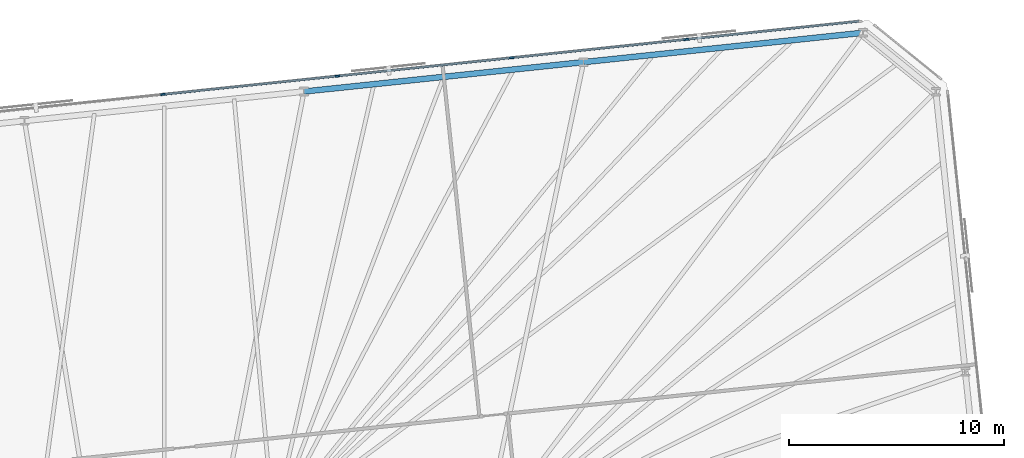
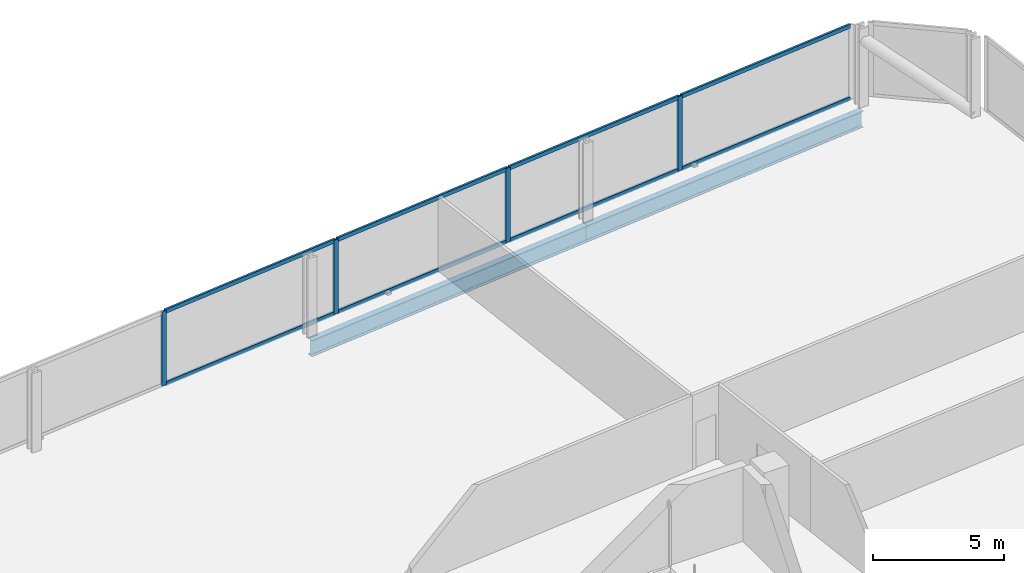
# One storey, part 11 of 18: 12 members, 2 beams, 1 element without a shape of its own.
"""IFC4 building model written with IfcOpenShell, lengths in metres."""

from ifc_helpers import new_model, si_unit, direction, frame, origin, origin_2d, place, context, subcontext, project, spatial, rectangle, i_section, extrude, material, material_profile, profile_set, type_object, element, aggregate, save


model = new_model("IFC4")

# Units and contexts
model_context = context("Model", 3, precision=1e-05, world=origin(), true_north=direction((0.0, 1.0)))
body_context = subcontext(model_context, "Body", "Model", "MODEL_VIEW")
ifc_project = project(units=[si_unit("LENGTHUNIT", "METRE"), si_unit("AREAUNIT", "SQUARE_METRE"), si_unit("VOLUMEUNIT", "CUBIC_METRE"), si_unit("PLANEANGLEUNIT", "RADIAN"), si_unit("MASSUNIT", "GRAM", prefix="KILO")], contexts=[model_context])

# Site, building, storey
site_placement = place(None, origin())
site = spatial("IfcSite", under=ifc_project, at=site_placement, CompositionType="ELEMENT")
building_placement = place(site_placement, origin())
building = spatial("IfcBuilding", under=site, at=building_placement, Name="Menara Jurai Vektor", CompositionType="ELEMENT")
storey_placement = place(building_placement, frame((0.0, 0.0, 135.5)))
storey = spatial("IfcBuildingStorey", under=building, at=storey_placement, Name="L34", CompositionType="ELEMENT", Elevation=135.5)

# Curtain wall, members
ifc_material_1 = material(Name="Anodised Pale Aluminium & Low-E Double Glazing", Category="aluminium")
curtain_wall_type = type_object("IfcCurtainWallType", Name="CW-BLK2", PredefinedType="NOTDEFINED", material=ifc_material_1)
curtain_wall_placement = place(storey_placement, origin())
curtain_wall = element("IfcCurtainWall", 1, at=curtain_wall_placement, inside=storey, type_object=curtain_wall_type, Name="Unitised Curtain Wall L34 F05", PredefinedType="NOTDEFINED")
ifc_material_2 = material(Name="Anodised Pale Aluminium Mullion", Category="aluminium")
ifc_material_profile_1 = material_profile(ifc_material_2, rectangle(XDim=0.090087890625, YDim=0.219970703125, at=origin_2d()), Name="ALU MUL 90x220")
ifc_profile_set_1 = profile_set([ifc_material_profile_1], Name="Anodised Pale Aluminium Mullion")
member_type_1 = type_object("IfcMemberType", Name="CW-BLK2-MUL", PredefinedType="MULLION", material=ifc_profile_set_1)
member_1_placement = place(storey_placement, frame((24.663330078125, 28.075927734375, 0.0), z_axis=(0.0, 0.0, 1.0), x_axis=(0.104528634935, -0.994521877325, 0.0)))
member_1 = element("IfcMember", 2, at=member_1_placement, type_object=member_type_1, Name="CW-02 mullion 2", PredefinedType="MULLION", context=body_context, shape_type="SweptSolid", body=[
    extrude(rectangle(XDim=0.090087890625, YDim=0.219970703125, at=origin_2d()), origin(), (0.0, 0.0, 1.0), 3.47509765625),
])
member_2_placement = place(storey_placement, frame((16.5654296875, 27.224853515625, 0.0), z_axis=(0.0, 0.0, 1.0), x_axis=(0.104528634935, -0.994521877325, 0.0)))
member_2 = element("IfcMember", 3, at=member_2_placement, type_object=member_type_1, Name="CW-02 mullion 3", PredefinedType="MULLION", context=body_context, shape_type="SweptSolid", body=[
    extrude(rectangle(XDim=0.090087890625, YDim=0.219970703125, at=origin_2d()), origin(), (0.0, 0.0, 1.0), 3.47509765625),
])
member_3_placement = place(storey_placement, frame((8.467529296875, 26.373779296875, 0.0), z_axis=(0.0, 0.0, 1.0), x_axis=(0.104528634935, -0.994521877325, 0.0)))
member_3 = element("IfcMember", 4, at=member_3_placement, type_object=member_type_1, Name="CW-02 mullion 4", PredefinedType="MULLION", context=body_context, shape_type="SweptSolid", body=[
    extrude(rectangle(XDim=0.090087890625, YDim=0.219970703125, at=origin_2d()), origin(), (0.0, 0.0, 1.0), 3.47509765625),
])
member_4_placement = place(storey_placement, frame((0.36962890625, 25.522705078125, 0.0), z_axis=(0.0, 0.0, 1.0), x_axis=(0.104528634935, -0.994521877325, 0.0)))
member_4 = element("IfcMember", 5, at=member_4_placement, type_object=member_type_1, Name="CW-02 mullion 5", PredefinedType="MULLION", context=body_context, shape_type="SweptSolid", body=[
    extrude(rectangle(XDim=0.090087890625, YDim=0.219970703125, at=origin_2d()), origin(), (0.0, 0.0, 1.0), 3.47509765625),
])
ifc_material_3 = material(Name="Anodised Pale Aluminium Transom", Category="aluminium")
ifc_material_profile_2 = material_profile(ifc_material_3, rectangle(XDim=0.090087890625, YDim=0.18505859375, at=origin_2d()), Name="ALU TRN 90x185")
ifc_profile_set_2 = profile_set([ifc_material_profile_2], Name="Anodised Pale Aluminium Transom")
member_type_2 = type_object("IfcMemberType", Name="CW-BLK2-TRN", PredefinedType="USERDEFINED", material=ifc_profile_set_2)
member_5_placement = place(storey_placement, frame((32.671875, 28.917724609375, 0.044921875), z_axis=(-0.994519977808, -0.104546706027, 0.0), x_axis=(0.104546706027, -0.994519977808, 0.0)))
member_5 = element("IfcMember", 6, at=member_5_placement, type_object=member_type_2, Name="CW-02 transom 1.1", ObjectType="TRANSOM", PredefinedType="USERDEFINED", context=body_context, shape_type="SweptSolid", body=[
    extrude(rectangle(XDim=0.090087890625, YDim=0.18505859375, at=origin_2d()), origin(), (0.0, 0.0, 1.0), 8.007568359375),
])
member_6_placement = place(storey_placement, frame((32.671875, 28.917724609375, 3.429931640625), z_axis=(-0.994519977808, -0.104546706027, 0.0), x_axis=(0.104546706027, -0.994519977808, 0.0)))
member_6 = element("IfcMember", 7, at=member_6_placement, type_object=member_type_2, Name="CW-02 transom 1.2", ObjectType="TRANSOM", PredefinedType="USERDEFINED", context=body_context, shape_type="SweptSolid", body=[
    extrude(rectangle(XDim=0.090087890625, YDim=0.18505859375, at=origin_2d()), origin(), (0.0, 0.0, 1.0), 8.007568359375),
])
member_7_placement = place(storey_placement, frame((24.61865234375, 28.0712890625, 0.044921875), z_axis=(-0.994520726373, -0.10453958492, 0.0), x_axis=(0.10453958492, -0.994520726373, 0.0)))
member_7 = element("IfcMember", 8, at=member_7_placement, type_object=member_type_2, Name="CW-02 transom 2.1", ObjectType="TRANSOM", PredefinedType="USERDEFINED", context=body_context, shape_type="SweptSolid", body=[
    extrude(rectangle(XDim=0.090087890625, YDim=0.18505859375, at=origin_2d()), origin(), (0.0, 0.0, 1.0), 8.052490234375),
])
member_8_placement = place(storey_placement, frame((24.61865234375, 28.0712890625, 3.429931640625), z_axis=(-0.994520726373, -0.10453958492, 0.0), x_axis=(0.10453958492, -0.994520726373, 0.0)))
member_8 = element("IfcMember", 9, at=member_8_placement, type_object=member_type_2, Name="CW-02 transom 2.2", ObjectType="TRANSOM", PredefinedType="USERDEFINED", context=body_context, shape_type="SweptSolid", body=[
    extrude(rectangle(XDim=0.090087890625, YDim=0.18505859375, at=origin_2d()), origin(), (0.0, 0.0, 1.0), 8.052490234375),
])
member_9_placement = place(storey_placement, frame((16.520751953125, 27.22021484375, 0.044921875), z_axis=(-0.994520726373, -0.10453958492, 0.0), x_axis=(0.10453958492, -0.994520726373, 0.0)))
member_9 = element("IfcMember", 10, at=member_9_placement, type_object=member_type_2, Name="CW-02 transom 3.1", ObjectType="TRANSOM", PredefinedType="USERDEFINED", context=body_context, shape_type="SweptSolid", body=[
    extrude(rectangle(XDim=0.090087890625, YDim=0.18505859375, at=origin_2d()), origin(), (0.0, 0.0, 1.0), 8.052490234375),
])
member_10_placement = place(storey_placement, frame((16.520751953125, 27.22021484375, 3.429931640625), z_axis=(-0.994520726373, -0.10453958492, 0.0), x_axis=(0.10453958492, -0.994520726373, 0.0)))
member_10 = element("IfcMember", 11, at=member_10_placement, type_object=member_type_2, Name="CW-02 transom 3.2", ObjectType="TRANSOM", PredefinedType="USERDEFINED", context=body_context, shape_type="SweptSolid", body=[
    extrude(rectangle(XDim=0.090087890625, YDim=0.18505859375, at=origin_2d()), origin(), (0.0, 0.0, 1.0), 8.052490234375),
])
member_11_placement = place(storey_placement, frame((8.4228515625, 26.369140625, 0.044921875), z_axis=(-0.994520726373, -0.10453958492, 0.0), x_axis=(0.10453958492, -0.994520726373, 0.0)))
member_11 = element("IfcMember", 12, at=member_11_placement, type_object=member_type_2, Name="CW-02 transom 4.1", ObjectType="TRANSOM", PredefinedType="USERDEFINED", context=body_context, shape_type="SweptSolid", body=[
    extrude(rectangle(XDim=0.090087890625, YDim=0.18505859375, at=origin_2d()), origin(), (0.0, 0.0, 1.0), 8.052490234375),
])
member_12_placement = place(storey_placement, frame((8.4228515625, 26.369140625, 3.429931640625), z_axis=(-0.994520726373, -0.10453958492, 0.0), x_axis=(0.10453958492, -0.994520726373, 0.0)))
member_12 = element("IfcMember", 13, at=member_12_placement, type_object=member_type_2, Name="CW-02 transom 4.2", ObjectType="TRANSOM", PredefinedType="USERDEFINED", context=body_context, shape_type="SweptSolid", body=[
    extrude(rectangle(XDim=0.090087890625, YDim=0.18505859375, at=origin_2d()), origin(), (0.0, 0.0, 1.0), 8.052490234375),
])
aggregate(curtain_wall, [member_1, member_2, member_3, member_4, member_5, member_6, member_7, member_8, member_9, member_10, member_11, member_12])

# Beams
ifc_material_4 = material(Name="Steel S460", Category="steel")
ifc_material_profile_3 = material_profile(ifc_material_4, i_section(OverallWidth=0.26806640625, OverallDepth=0.77001953125, WebThickness=0.01611328125, FlangeThickness=0.02490234375, FilletRadius=0.01708984375, at=origin_2d()), Name="UKB 762x267x197")
ifc_profile_set_3 = profile_set([ifc_material_profile_3], Name="Steel S460")
beam_type = type_object("IfcBeamType", Name="STR-SP-762", PredefinedType="SPANDREL", material=ifc_profile_set_3)
beam_1_placement = place(storey_placement, frame((32.876220703125, 28.38623046875, -0.610107421875), z_axis=(-0.994521431679, -0.104532874882, 0.0), x_axis=(0.104532874882, -0.994521431679, 0.0)))
element("IfcBeam", 14, at=beam_1_placement, inside=storey, type_object=beam_type, Name="Exoskeleton Spandrel Beam L34-11", PredefinedType="SPANDREL", context=body_context, shape_type="SweptSolid", body=[
    extrude(i_section(OverallWidth=0.26806640625, OverallDepth=0.77001953125, WebThickness=0.01611328125, FlangeThickness=0.02490234375, FilletRadius=0.01708984375, at=origin_2d()), origin(), (0.0, 0.0, 1.0), 13.051025390625),
])
beam_2_placement = place(storey_placement, frame((19.896728515625, 27.02197265625, -0.610107421875), z_axis=(-0.994521636083, -0.104530930169, 0.0), x_axis=(0.104530930169, -0.994521636083, 0.0)))
element("IfcBeam", 15, at=beam_2_placement, inside=storey, type_object=beam_type, Name="Exoskeleton Spandrel Beam L34-12", PredefinedType="SPANDREL", context=body_context, shape_type="SweptSolid", body=[
    extrude(i_section(OverallWidth=0.26806640625, OverallDepth=0.77001953125, WebThickness=0.01611328125, FlangeThickness=0.02490234375, FilletRadius=0.01708984375, at=origin_2d()), origin(), (0.0, 0.0, 1.0), 13.05126953125),
])

save(model, "model.ifc")
